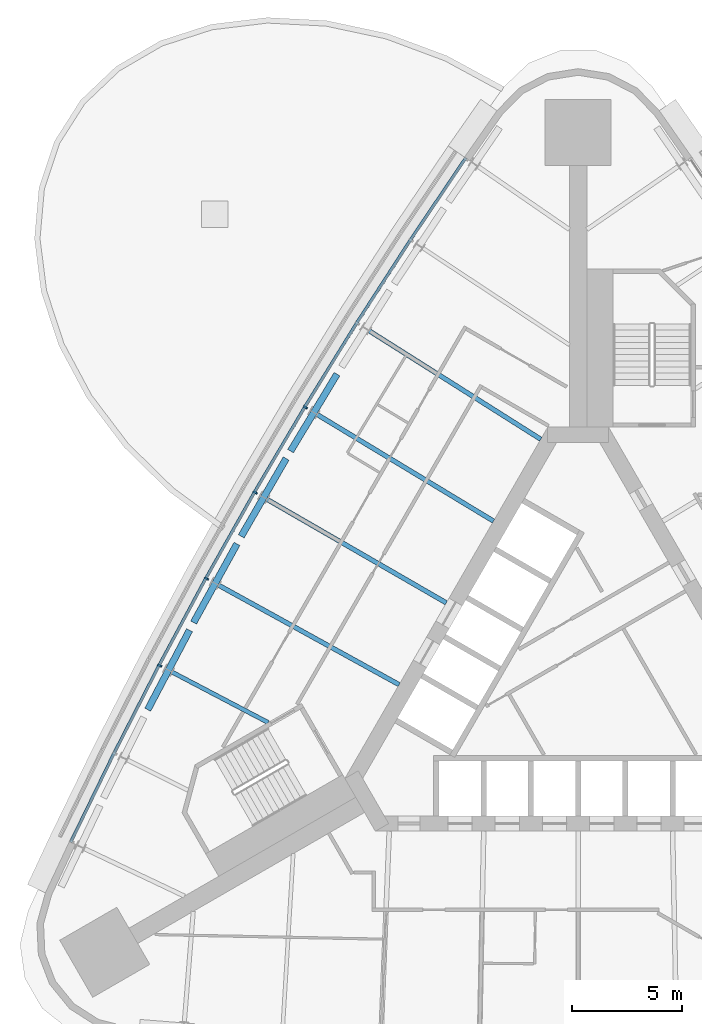
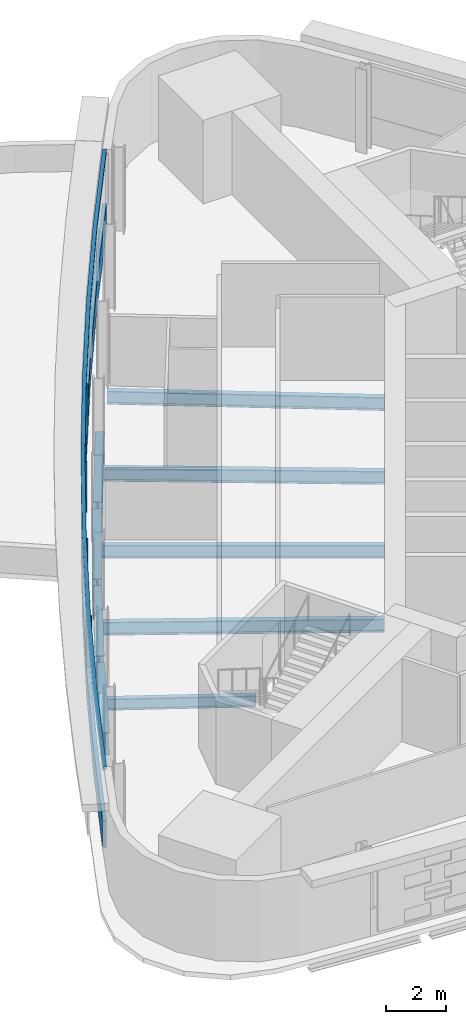
# One storey, part 3 of 12: 9 beams, 6 members, 1 element without a shape of its own.
"""IFC4 building model written with IfcOpenShell, lengths in metres."""

from ifc_helpers import new_model, si_unit, direction, frame, origin, origin_2d, place, context, subcontext, project, spatial, polyline, rectangle, i_section, outline, extrude, material, material_profile, profile_set, type_object, element, aggregate, save


model = new_model("IFC4")

# Units and contexts
model_context = context("Model", 3, precision=1e-05, world=origin(), true_north=direction((0.0, 1.0)))
body_context = subcontext(model_context, "Body", "Model", "MODEL_VIEW")
ifc_project = project(units=[si_unit("LENGTHUNIT", "METRE"), si_unit("AREAUNIT", "SQUARE_METRE"), si_unit("VOLUMEUNIT", "CUBIC_METRE"), si_unit("PLANEANGLEUNIT", "RADIAN"), si_unit("MASSUNIT", "GRAM", prefix="KILO")], contexts=[model_context])

# Site, building, storey
site_placement = place(None, origin())
site = spatial("IfcSite", under=ifc_project, at=site_placement, CompositionType="ELEMENT")
building_placement = place(site_placement, origin())
building = spatial("IfcBuilding", under=site, at=building_placement, Name="Noor Cloister Tower", CompositionType="ELEMENT")
storey_placement = place(building_placement, frame((0.0, 0.0, 105.89990234375)))
storey = spatial("IfcBuildingStorey", under=building, at=storey_placement, Name="L27", CompositionType="ELEMENT", Elevation=105.89990234375)

# Curtain wall, members
ifc_material_1 = material(Name="Aluminium 6063-T6 anodised", Category="aluminium")
curtain_wall_type = type_object("IfcCurtainWallType", Name="Ribbon curtain wall, lower tower CW1", PredefinedType="NOTDEFINED", material=ifc_material_1)
curtain_wall_placement = place(storey_placement, origin())
curtain_wall = element("IfcCurtainWall", 1, at=curtain_wall_placement, inside=storey, type_object=curtain_wall_type, Name="CW1 L27 NW run 1", PredefinedType="NOTDEFINED")
ifc_material_2 = material(Name="Aluminium 6063-T6 anodised", Category="aluminium")
member_type_1 = type_object("IfcMemberType", Name="Head transom CW1 150", PredefinedType="USERDEFINED", material=ifc_material_2)
member_1_placement = place(storey_placement, frame((0.0, 0.0, 3.150146484375)))
member_1 = element("IfcMember", 2, at=member_1_placement, type_object=member_type_1, Name="CW1 head transom", ObjectType="TRANSOM", PredefinedType="USERDEFINED", context=body_context, shape_type="SweptSolid", body=[
    extrude(outline(polyline([(-5.1708984375, 23.747802734375), (-7.68896484375, 20.018310546875), (-10.131591796875, 16.239013671875), (-12.498046875, 12.41162109375), (-14.786865234375, 8.537353515625), (-16.99755859375, 4.617919921875), (-19.129150390625, 0.65478515625), (-21.180908203125, -3.350341796875), (-23.151611328125, -7.395751953125), (-23.02587890625, -7.45703125), (-21.0556640625, -3.412841796875), (-19.00537109375, 0.589599609375), (-16.875, 4.55029296875), (-14.665771484375, 8.46728515625), (-12.378173828125, 12.339111328125), (-10.013427734375, 16.164306640625), (-7.572265625, 19.941162109375), (-5.054931640625, 23.66943359375), (-5.1708984375, 23.747802734375)])), origin(), (0.0, 0.0, 1.0), 0.14990234375),
])
ifc_material_3 = material(Name="Aluminium 6063-T6 anodised", Category="aluminium")
ifc_material_profile_1 = material_profile(ifc_material_3, rectangle(XDim=0.199951171875, YDim=0.080078125, at=origin_2d()), Name="200 x 80 mullion")
ifc_profile_set_1 = profile_set([ifc_material_profile_1], Name="Aluminium 6063-T6 anodised")
member_type_2 = type_object("IfcMemberType", Name="Mullion CW1 80 x 200", PredefinedType="MULLION", material=ifc_profile_set_1)
member_2_placement = place(storey_placement, frame((-12.412353515625, 12.35986328125, 1.10009765625), z_axis=(0.0, 0.0, 1.0), x_axis=(0.855812134138, -0.517286759025, 0.0)))
member_2 = element("IfcMember", 3, at=member_2_placement, type_object=member_type_2, Name="CW1 mullion 4", PredefinedType="MULLION", context=body_context, shape_type="SweptSolid", body=[
    extrude(rectangle(XDim=0.199951171875, YDim=0.080078125, at=origin_2d()), origin(), (0.0, 0.0, 1.0), 2.050048828125),
])
member_3_placement = place(storey_placement, frame((-14.700439453125, 8.4873046875, 1.10009765625), z_axis=(0.0, 0.0, 1.0), x_axis=(0.866025403784, -0.5, 0.0)))
member_3 = element("IfcMember", 4, at=member_3_placement, type_object=member_type_2, Name="CW1 mullion 5", PredefinedType="MULLION", context=body_context, shape_type="SweptSolid", body=[
    extrude(rectangle(XDim=0.199951171875, YDim=0.080078125, at=origin_2d()), origin(), (0.0, 0.0, 1.0), 2.050048828125),
])
member_4_placement = place(storey_placement, frame((-16.91015625, 4.569580078125, 1.10009765625), z_axis=(0.0, 0.0, 1.0), x_axis=(0.875889541426, -0.482511669518, 0.0)))
member_4 = element("IfcMember", 5, at=member_4_placement, type_object=member_type_2, Name="CW1 mullion 6", PredefinedType="MULLION", context=body_context, shape_type="SweptSolid", body=[
    extrude(rectangle(XDim=0.199951171875, YDim=0.080078125, at=origin_2d()), origin(), (0.0, 0.0, 1.0), 2.050048828125),
])
member_5_placement = place(storey_placement, frame((-19.040771484375, 0.6083984375, 1.10009765625), z_axis=(0.0, 0.0, 1.0), x_axis=(0.885400578517, -0.464828802423, 0.0)))
member_5 = element("IfcMember", 6, at=member_5_placement, type_object=member_type_2, Name="CW1 mullion 7", PredefinedType="MULLION", context=body_context, shape_type="SweptSolid", body=[
    extrude(rectangle(XDim=0.199951171875, YDim=0.080078125, at=origin_2d()), origin(), (0.0, 0.0, 1.0), 2.050048828125),
])

# Beams
ifc_material_4 = material(Name="Steel ASTM A992 Gr 50", Category="steel")
ifc_material_profile_2 = material_profile(ifc_material_4, i_section(OverallWidth=0.19091796875, OverallDepth=0.45703125, WebThickness=0.009033203125, FlangeThickness=0.014404296875, FilletRadius=0.01025390625, at=origin_2d()), Name="W460x74")
ifc_profile_set_2 = profile_set([ifc_material_profile_2], Name="Steel ASTM A992 Gr 50")
beam_type_1 = type_object("IfcBeamType", Name="Radial beam W460x74", PredefinedType="BEAM", material=ifc_profile_set_2)
beam_1_placement = place(storey_placement, frame((-18.50732421875, 0.328125, -0.428466796875), z_axis=(0.885413060571, -0.464805025974, 0.0), x_axis=(0.464805025974, 0.885413060571, 0.0)))
element("IfcBeam", 7, at=beam_1_placement, inside=storey, type_object=beam_type_1, Name="Radial beam NW 07 L27", PredefinedType="BEAM", context=body_context, shape_type="SweptSolid", body=[
    extrude(i_section(OverallWidth=0.19091796875, OverallDepth=0.45703125, WebThickness=0.009033203125, FlangeThickness=0.014404296875, FilletRadius=0.01025390625, at=origin_2d()), origin(), (0.0, 0.0, 1.0), 4.971435546875),
])
ifc_material_5 = material(Name="Steel ASTM A992 Gr 50", Category="steel")
ifc_material_profile_3 = material_profile(ifc_material_5, i_section(OverallWidth=0.208984375, OverallDepth=0.532958984375, WebThickness=0.01025390625, FlangeThickness=0.015625, FilletRadius=0.0126953125, at=origin_2d()), Name="W530x92")
ifc_profile_set_3 = profile_set([ifc_material_profile_3], Name="Steel ASTM A992 Gr 50")
beam_type_2 = type_object("IfcBeamType", Name="Radial beam W530x92", PredefinedType="BEAM", material=ifc_profile_set_3)
beam_2_placement = place(storey_placement, frame((-9.537841796875, 15.86376953125, -0.46630859375), z_axis=(0.84524414986, -0.534380320678, 0.0), x_axis=(0.534380320678, 0.84524414986, 0.0)))
element("IfcBeam", 8, at=beam_2_placement, inside=storey, type_object=beam_type_2, Name="Radial beam NW 03 L27", PredefinedType="BEAM", context=body_context, shape_type="SweptSolid", body=[
    extrude(i_section(OverallWidth=0.208984375, OverallDepth=0.532958984375, WebThickness=0.01025390625, FlangeThickness=0.015625, FilletRadius=0.0126953125, at=origin_2d()), origin(), (0.0, 0.0, 1.0), 9.271240234375),
])
beam_3_placement = place(storey_placement, frame((-11.896728515625, 12.048095703125, -0.46630859375), z_axis=(0.855813269099, -0.517284881313, 0.0), x_axis=(0.517284881313, 0.855813269099, 0.0)))
element("IfcBeam", 9, at=beam_3_placement, inside=storey, type_object=beam_type_2, Name="Radial beam NW 04 L27", PredefinedType="BEAM", context=body_context, shape_type="SweptSolid", body=[
    extrude(i_section(OverallWidth=0.208984375, OverallDepth=0.532958984375, WebThickness=0.01025390625, FlangeThickness=0.015625, FilletRadius=0.0126953125, at=origin_2d()), origin(), (0.0, 0.0, 1.0), 9.400634765625),
])
beam_4_placement = place(storey_placement, frame((-14.178466796875, 8.18603515625, -0.46630859375), z_axis=(0.866021560388, -0.500006656899, 0.0), x_axis=(0.500006656899, 0.866021560388, 0.0)))
element("IfcBeam", 10, at=beam_4_placement, inside=storey, type_object=beam_type_2, Name="Radial beam NW 05 L27", PredefinedType="BEAM", context=body_context, shape_type="SweptSolid", body=[
    extrude(i_section(OverallWidth=0.208984375, OverallDepth=0.532958984375, WebThickness=0.01025390625, FlangeThickness=0.015625, FilletRadius=0.0126953125, at=origin_2d()), origin(), (0.0, 0.0, 1.0), 9.443603515625),
])
beam_5_placement = place(storey_placement, frame((-16.38232421875, 4.27880859375, -0.46630859375), z_axis=(0.875890002273, -0.482510832955, 0.0), x_axis=(0.482510832955, 0.875890002273, 0.0)))
element("IfcBeam", 11, at=beam_5_placement, inside=storey, type_object=beam_type_2, Name="Radial beam NW 06 L27", PredefinedType="BEAM", context=body_context, shape_type="SweptSolid", body=[
    extrude(i_section(OverallWidth=0.208984375, OverallDepth=0.532958984375, WebThickness=0.01025390625, FlangeThickness=0.015625, FilletRadius=0.0126953125, at=origin_2d()), origin(), (0.0, 0.0, 1.0), 9.400634765625),
])

# Member
ifc_material_6 = material(Name="Aluminium 6063-T6 anodised", Category="aluminium")
member_type_3 = type_object("IfcMemberType", Name="Sill transom CW1 1100", PredefinedType="USERDEFINED", material=ifc_material_6)
member_6_placement = place(storey_placement, origin())
member_6 = element("IfcMember", 12, at=member_6_placement, type_object=member_type_3, Name="CW1 sill transom", ObjectType="TRANSOM", PredefinedType="USERDEFINED", context=body_context, shape_type="SweptSolid", body=[
    extrude(outline(polyline([(-5.1708984375, 23.747802734375), (-7.68896484375, 20.018310546875), (-10.131591796875, 16.239013671875), (-12.498046875, 12.41162109375), (-14.786865234375, 8.537353515625), (-16.99755859375, 4.617919921875), (-19.129150390625, 0.65478515625), (-21.180908203125, -3.350341796875), (-23.151611328125, -7.395751953125), (-23.02587890625, -7.45703125), (-21.0556640625, -3.412841796875), (-19.00537109375, 0.589599609375), (-16.875, 4.55029296875), (-14.665771484375, 8.46728515625), (-12.378173828125, 12.339111328125), (-10.013427734375, 16.164306640625), (-7.572265625, 19.941162109375), (-5.054931640625, 23.66943359375), (-5.1708984375, 23.747802734375)])), origin(), (0.0, 0.0, 1.0), 1.10009765625),
])

aggregate(curtain_wall, [member_2, member_3, member_4, member_5, member_6, member_1])

# Beams
ifc_material_7 = material(Name="Steel ASTM A992 Gr 50", Category="steel")
ifc_material_profile_4 = material_profile(ifc_material_7, i_section(OverallWidth=0.304931640625, OverallDepth=0.9189453125, WebThickness=0.017333984375, FlangeThickness=0.02783203125, FilletRadius=0.01904296875, at=origin_2d()), Name="W920x253")
ifc_profile_set_4 = profile_set([ifc_material_profile_4], Name="Steel ASTM A992 Gr 50")
beam_type_3 = type_object("IfcBeamType", Name="Transfer girder W920x253", PredefinedType="BEAM", material=ifc_profile_set_4)
beam_6_placement = place(storey_placement, frame((-10.97412109375, 13.87109375, -0.659423828125), z_axis=(-0.516935158604, -0.856024556773, 0.0), x_axis=(0.856024556773, -0.516935158604, 0.0)))
element("IfcBeam", 13, at=beam_6_placement, inside=storey, type_object=beam_type_3, Name="Transfer girder NW 04 L27", PredefinedType="BEAM", context=body_context, shape_type="SweptSolid", body=[
    extrude(i_section(OverallWidth=0.304931640625, OverallDepth=0.9189453125, WebThickness=0.017333984375, FlangeThickness=0.02783203125, FilletRadius=0.01904296875, at=origin_2d()), origin(), (0.0, 0.0, 1.0), 4.088134765625),
])
beam_7_placement = place(storey_placement, frame((-13.28857421875, 10.032470703125, -0.659423828125), z_axis=(-0.500011931275, -0.86601851515, 0.0), x_axis=(0.86601851515, -0.500011931275, 0.0)))
element("IfcBeam", 14, at=beam_7_placement, inside=storey, type_object=beam_type_3, Name="Transfer girder NW 05 L27", PredefinedType="BEAM", context=body_context, shape_type="SweptSolid", body=[
    extrude(i_section(OverallWidth=0.304931640625, OverallDepth=0.9189453125, WebThickness=0.017333984375, FlangeThickness=0.02783203125, FilletRadius=0.01904296875, at=origin_2d()), origin(), (0.0, 0.0, 1.0), 4.08837890625),
])
for number, where, z_axis, x_axis, name in (
    (15, (-15.525634765625, 6.148193359375, -0.659423828125), (-0.48289735558, -0.875676963254, 0.0), (0.875676963254, -0.48289735558, 0.0), "Transfer girder NW 06 L27"),
    (16, (-17.684326171875, 2.22021484375, -0.659423828125), (-0.465559367348, -0.885016652654, 0.0), (0.885016652654, -0.465559367348, 0.0), "Transfer girder NW 07 L27"),
):
    element("IfcBeam", number, at=place(storey_placement, frame(where, z_axis=z_axis, x_axis=x_axis)), inside=storey, type_object=beam_type_3, Name=name, PredefinedType="BEAM", context=body_context, shape_type="SweptSolid", body=[
        extrude(i_section(OverallWidth=0.304931640625, OverallDepth=0.9189453125, WebThickness=0.017333984375, FlangeThickness=0.02783203125, FilletRadius=0.01904296875, at=origin_2d()), origin(), (0.0, 0.0, 1.0), 4.088134765625),
    ])

save(model, "model.ifc")
